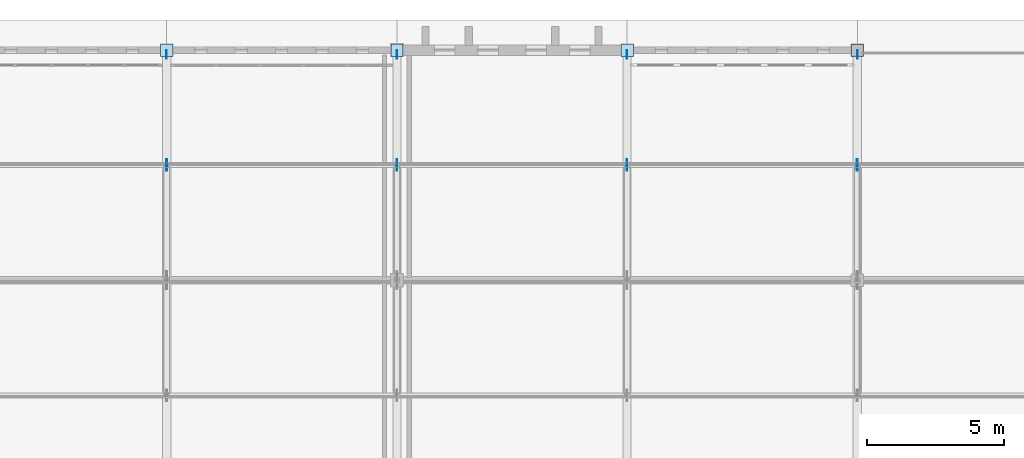
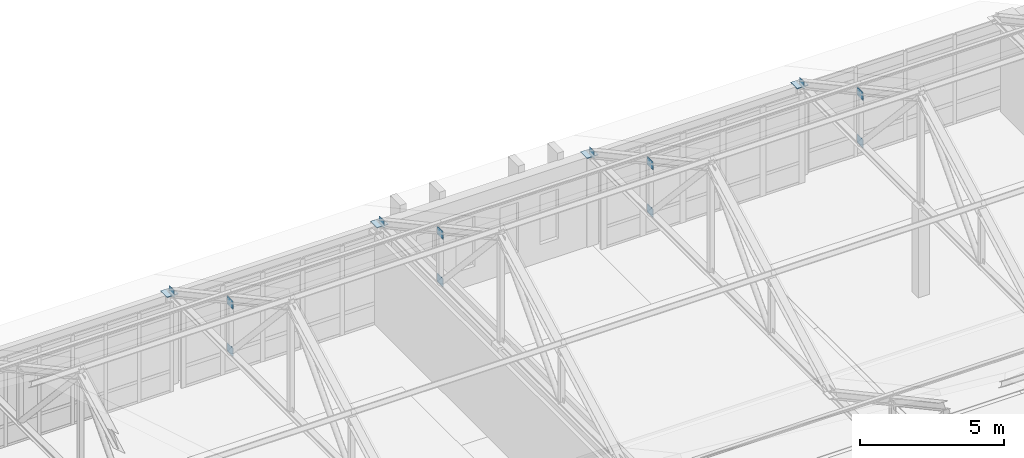
# One storey, part 80 of 110: 16 plates.
"""IFC4 building model written with IfcOpenShell, lengths in metres."""

from ifc_helpers import new_model, si_unit, direction, frame, origin, origin_2d, place, context, subcontext, project, spatial, rectangle, extrude, material, layer, layer_set, type_object, element, save


model = new_model("IFC4")

# Units and contexts
model_context = context("Model", 3, precision=1e-05, world=origin(), true_north=direction((0.0, 1.0)))
body_context = subcontext(model_context, "Body", "Model", "MODEL_VIEW")
ifc_project = project(units=[si_unit("LENGTHUNIT", "METRE"), si_unit("AREAUNIT", "SQUARE_METRE"), si_unit("VOLUMEUNIT", "CUBIC_METRE"), si_unit("PLANEANGLEUNIT", "RADIAN"), si_unit("MASSUNIT", "GRAM", prefix="KILO")], contexts=[model_context])

# Site, building, storey
site_placement = place(None, origin())
site = spatial("IfcSite", under=ifc_project, at=site_placement, CompositionType="ELEMENT")
building_placement = place(site_placement, origin())
building = spatial("IfcBuilding", under=site, at=building_placement, Name="Kveldsbrygga Polytechnic", CompositionType="ELEMENT")
storey_placement = place(building_placement, frame((0.0, 0.0, 9.860107421875)))
storey = spatial("IfcBuildingStorey", under=building, at=storey_placement, Name="L02", CompositionType="ELEMENT", Elevation=9.860107421875)

# Plates
ifc_material = material(Name="Steel S355", Category="steel")
ifc_layer_1 = layer(ifc_material, 0.030029296875)
ifc_layer_set_1 = layer_set([ifc_layer_1], Name="Steel S355")
plate_type_1 = type_object("IfcPlateType", Name="CAP-BEAR-450", PredefinedType="SHEET", material=ifc_layer_set_1)
for number, where, z_axis, x_axis, name in (
    (1, (67.199951171875, 117.60009765625, 3.75), (0.0, 0.0, 1.0), (1.0, 0.0, 0.0), "Truss Bearing Plate V2L2-T04-B"),
    (2, (75.60009765625, 117.60009765625, 3.75), (0.0, 0.0, 1.0), (1.0, 0.0, 0.0), "Truss Bearing Plate V2L2-T05-B"),
    (3, (84.0, 117.60009765625, 3.75), (0.0, 0.0, 1.0), (1.0, 0.0, 0.0), "Truss Bearing Plate V2L2-T06-B"),
    (4, (92.39990234375, 117.60009765625, 3.75), (0.0, 0.0, 1.0), (1.0, 0.0, 0.0), "Truss Bearing Plate V2L2-T07-B"),
):
    element("IfcPlate", number, at=place(storey_placement, frame(where, z_axis=z_axis, x_axis=x_axis)), inside=storey, type_object=plate_type_1, Name=name, PredefinedType="SHEET", context=body_context, shape_type="SweptSolid", body=[
        extrude(rectangle(XDim=0.449951171875, YDim=0.449951171875, at=origin_2d()), origin(), (0.0, 0.0, 1.0), 0.030029296875),
    ])
ifc_layer_2 = layer(ifc_material, 0.01806640625)
ifc_layer_set_2 = layer_set([ifc_layer_2], Name="Steel S355")
plate_type_2 = type_object("IfcPlateType", Name="GUS-BRACE-320", PredefinedType="SHEET", material=ifc_layer_set_2)
for number, where, z_axis, x_axis, name in (
    (5, (67.199951171875, 117.43994140625, 3.73974609375), (0.0, 0.0, 1.0), (1.0, 0.0, 0.0), "Truss Eaves Node Gusset V2L2-T04-EGP-B"),
    (6, (75.60009765625, 117.43994140625, 3.73974609375), (0.0, 0.0, 1.0), (1.0, 0.0, 0.0), "Truss Eaves Node Gusset V2L2-T05-EGP-B"),
    (7, (84.0, 117.43994140625, 3.73974609375), (0.0, 0.0, 1.0), (1.0, 0.0, 0.0), "Truss Eaves Node Gusset V2L2-T06-EGP-B"),
    (8, (92.39990234375, 117.43994140625, 3.73974609375), (0.0, 0.0, 1.0), (1.0, 0.0, 0.0), "Truss Eaves Node Gusset V2L2-T07-EGP-B"),
):
    element("IfcPlate", number, at=place(storey_placement, frame(where, z_axis=z_axis, x_axis=x_axis)), inside=storey, type_object=plate_type_2, Name=name, PredefinedType="SHEET", context=body_context, shape_type="SweptSolid", body=[
        extrude(rectangle(XDim=0.01806640625, YDim=0.320068359375, at=origin_2d()), origin(), (0.0, 0.0, 1.0), 0.320068359375),
    ])
ifc_layer_3 = layer(ifc_material, 0.02001953125)
ifc_layer_set_3 = layer_set([ifc_layer_3], Name="Steel S355")
plate_type_3 = type_object("IfcPlateType", Name="GUS-LECT-420", PredefinedType="SHEET", material=ifc_layer_set_3)
for number, where, z_axis, x_axis, name in (
    (9, (67.199951171875, 113.39990234375, 5.729736328125), (0.0, 0.0, 1.0), (1.0, 0.0, 0.0), "Truss Gusset Plate V2L2-T04-GP-3"),
    (10, (67.199951171875, 113.39990234375, 3.724853515625), (0.0, 0.0, 1.0), (1.0, 0.0, 0.0), "Truss Bottom-Chord Node Gusset V2L2-T04-BGP-3"),
    (11, (75.60009765625, 113.39990234375, 5.729736328125), (0.0, 0.0, 1.0), (1.0, 0.0, 0.0), "Truss Gusset Plate V2L2-T05-GP-3"),
    (12, (75.60009765625, 113.39990234375, 3.724853515625), (0.0, 0.0, 1.0), (1.0, 0.0, 0.0), "Truss Bottom-Chord Node Gusset V2L2-T05-BGP-3"),
    (13, (84.0, 113.39990234375, 5.729736328125), (0.0, 0.0, 1.0), (1.0, 0.0, 0.0), "Truss Gusset Plate V2L2-T06-GP-3"),
    (14, (84.0, 113.39990234375, 3.724853515625), (0.0, 0.0, 1.0), (1.0, 0.0, 0.0), "Truss Bottom-Chord Node Gusset V2L2-T06-BGP-3"),
    (15, (92.39990234375, 113.39990234375, 5.729736328125), (0.0, 0.0, 1.0), (1.0, 0.0, 0.0), "Truss Gusset Plate V2L2-T07-GP-3"),
    (16, (92.39990234375, 113.39990234375, 3.724853515625), (0.0, 0.0, 1.0), (1.0, 0.0, 0.0), "Truss Bottom-Chord Node Gusset V2L2-T07-BGP-3"),
):
    element("IfcPlate", number, at=place(storey_placement, frame(where, z_axis=z_axis, x_axis=x_axis)), inside=storey, type_object=plate_type_3, Name=name, PredefinedType="SHEET", context=body_context, shape_type="SweptSolid", body=[
        extrude(rectangle(XDim=0.02001953125, YDim=0.419921875, at=origin_2d()), origin(), (0.0, 0.0, 1.0), 0.35009765625),
    ])

save(model, "model.ifc")
